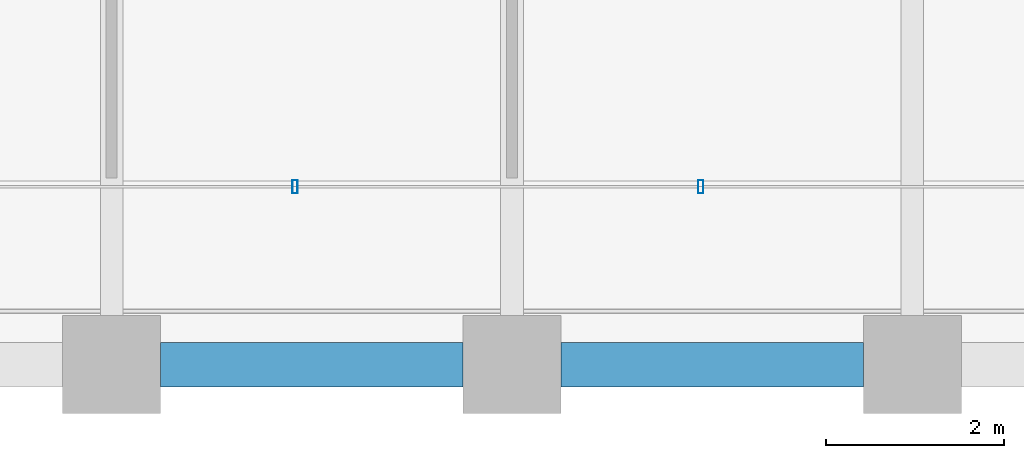
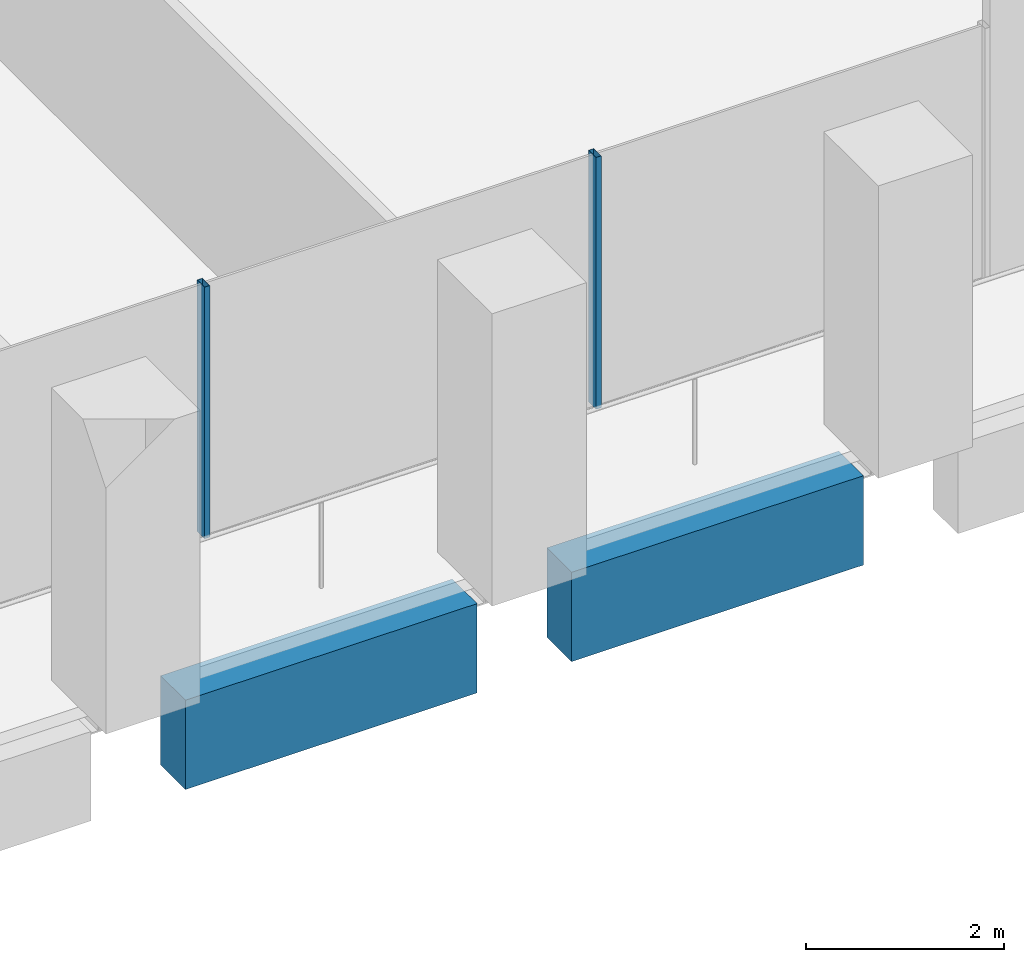
# One storey, part 3 of 54: 2 beams, 2 members, 1 element without a shape of its own.
"""IFC4 building model written with IfcOpenShell, lengths in metres."""

from ifc_helpers import new_model, si_unit, direction, frame, origin, origin_2d, place, context, subcontext, project, spatial, rectangle, hollow_rectangle, extrude, material, material_profile, profile_set, type_object, element, aggregate, save


model = new_model("IFC4")

# Units and contexts
model_context = context("Model", 3, precision=1e-05, world=origin(), true_north=direction((0.0, 1.0)))
body_context = subcontext(model_context, "Body", "Model", "MODEL_VIEW")
ifc_project = project(units=[si_unit("LENGTHUNIT", "METRE"), si_unit("AREAUNIT", "SQUARE_METRE"), si_unit("VOLUMEUNIT", "CUBIC_METRE"), si_unit("PLANEANGLEUNIT", "RADIAN"), si_unit("MASSUNIT", "GRAM", prefix="KILO")], contexts=[model_context])

# Site, building, storey
site_placement = place(None, origin())
site = spatial("IfcSite", under=ifc_project, at=site_placement, CompositionType="ELEMENT")
building_placement = place(site_placement, origin())
building = spatial("IfcBuilding", under=site, at=building_placement, Name="Altepetl Exchange Towers", CompositionType="ELEMENT")
storey_placement = place(building_placement, frame((0.0, 0.0, 65.39990234375)))
storey = spatial("IfcBuildingStorey", under=building, at=storey_placement, Name="L15", CompositionType="ELEMENT", Elevation=65.39990234375)

# Curtain wall, members
ifc_material_1 = material(Name="Aluminium 6063-T6 glazing", Category="aluminium")
curtain_wall_type = type_object("IfcCurtainWallType", Name="Loggia glazing system", PredefinedType="NOTDEFINED", material=ifc_material_1)
curtain_wall_placement = place(storey_placement, origin())
curtain_wall = element("IfcCurtainWall", 1, at=curtain_wall_placement, inside=storey, type_object=curtain_wall_type, Name="CW1 run", PredefinedType="NOTDEFINED")
ifc_material_2 = material(Name="Aluminium 6063-T6", Category="aluminium")
ifc_material_profile_1 = material_profile(ifc_material_2, hollow_rectangle(XDim=0.06005859375, YDim=0.14990234375, WallThickness=0.0029296875, at=origin_2d()), Name="Mullion 60x150 aluminium")
ifc_profile_set_1 = profile_set([ifc_material_profile_1], Name="Aluminium 6063-T6")
member_type = type_object("IfcMemberType", Name="Mullion 60x150 aluminium", PredefinedType="MULLION", material=ifc_profile_set_1)
member_1_placement = place(storey_placement, frame((38.060791015625, 29.0, 0.0)))
member_1 = element("IfcMember", 2, at=member_1_placement, type_object=member_type, Name="MU1 mullion", PredefinedType="MULLION", context=body_context, shape_type="SweptSolid", body=[
    extrude(hollow_rectangle(XDim=0.06005859375, YDim=0.14990234375, WallThickness=0.0029296875, at=origin_2d()), origin(), (0.0, 0.0, 1.0), 3.10009765625),
])
member_2_placement = place(storey_placement, frame((42.621337890625, 29.0, 0.0)))
member_2 = element("IfcMember", 3, at=member_2_placement, type_object=member_type, Name="MU1 mullion", PredefinedType="MULLION", context=body_context, shape_type="SweptSolid", body=[
    extrude(hollow_rectangle(XDim=0.06005859375, YDim=0.14990234375, WallThickness=0.0029296875, at=origin_2d()), origin(), (0.0, 0.0, 1.0), 3.10009765625),
])
aggregate(curtain_wall, [member_1, member_2])

# Beams
ifc_material_3 = material(Name="Concrete C50/60 precast with cantera blanca facing", Category="concrete")
ifc_material_profile_2 = material_profile(ifc_material_3, rectangle(XDim=0.5, YDim=1.10009765625, at=origin_2d()), Name="500 x 1100")
ifc_profile_set_2 = profile_set([ifc_material_profile_2], Name="Concrete C50/60 precast with cantera blanca facing")
beam_type = type_object("IfcBeamType", Name="Spandrel beam 500x1100 cantera blanca", PredefinedType="SPANDREL", material=ifc_profile_set_2)
for number, where, z_axis, x_axis, name in (
    (4, (36.550048828125, 27.0, -0.699951171875), (1.0, 0.0, 0.0), (0.0, 1.0, 0.0), "sp:A:L15:001"),
    (5, (41.050048828125, 27.0, -0.699951171875), (1.0, 0.0, 0.0), (0.0, 1.0, 0.0), "sp:A:L15:002"),
):
    element("IfcBeam", number, at=place(storey_placement, frame(where, z_axis=z_axis, x_axis=x_axis)), inside=storey, type_object=beam_type, Name=name, PredefinedType="SPANDREL", context=body_context, shape_type="SweptSolid", body=[
        extrude(rectangle(XDim=0.5, YDim=1.10009765625, at=origin_2d()), origin(), (0.0, 0.0, 1.0), 3.39990234375),
    ])

save(model, "model.ifc")
